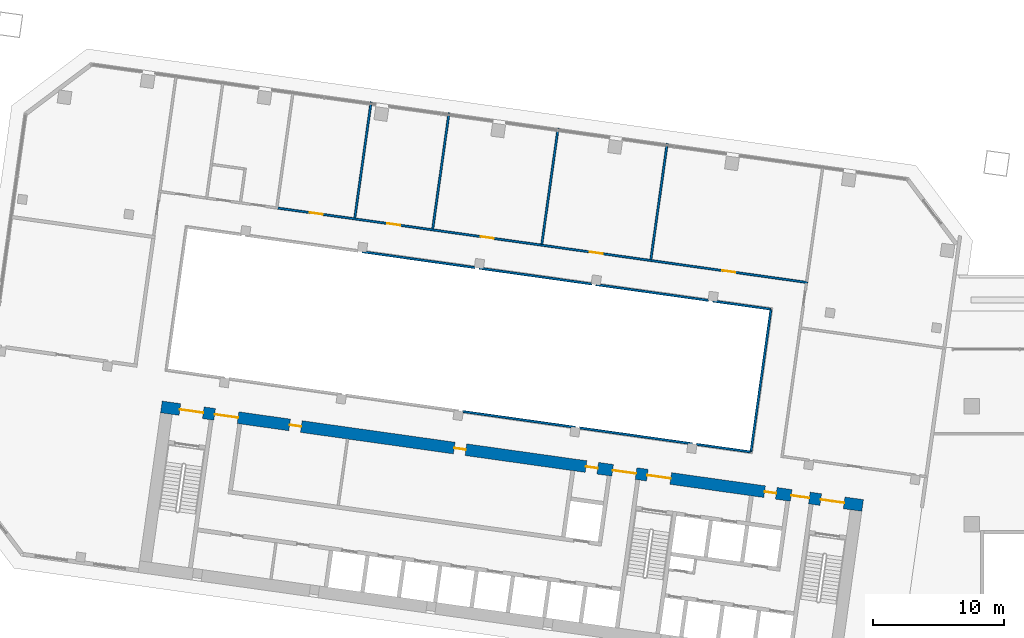
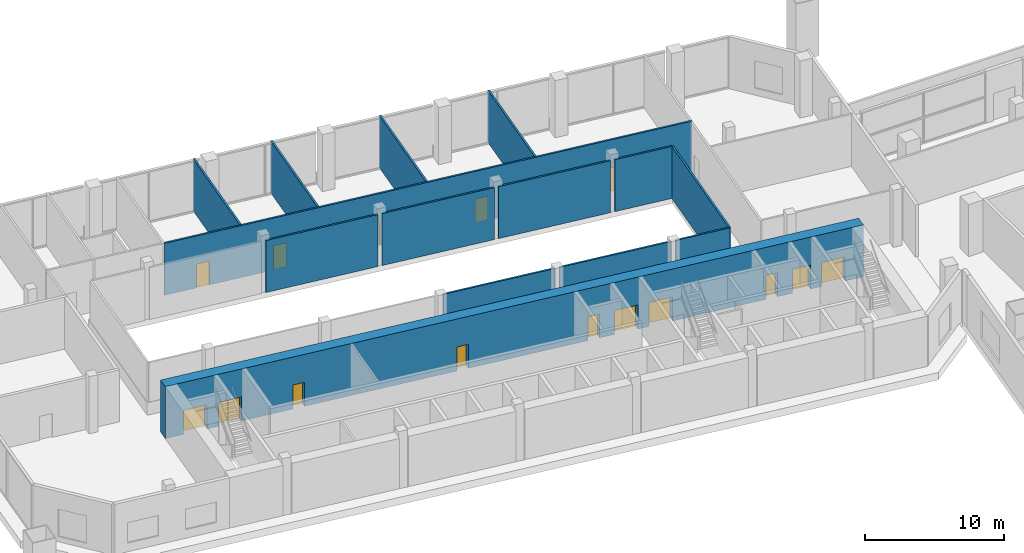
# One storey, part 12 of 21: 15 doors, 14 walls, 15 openings.
"""IFC4 building model written with IfcOpenShell, lengths in metres."""

import ifcopenshell
import ifcopenshell.guid

model = None  # the IFC model being written
_history = None  # IfcOwnerHistory: only IFC2X3 demands one
_inside = {}  # id of a spatial element -> (the spatial element, [elements in it])
_under = {}  # id of a project, library or spatial element -> (it, [spatial elements below it])
_declared = {}  # id of a project -> (the project, [libraries it declares])
_typed = {}  # id of a type object -> (the type object, [elements of that type])
_made_of = {}  # id of a material, layer set ... -> (it, [elements and type objects made of it])


def new_model(schema):
    """Start an empty IFC model of exactly this schema.

    Asked for "IFC4X3", IfcOpenShell would pick the latest addendum, in which some entities
    have other attributes; the version numbers below select the first issue.
    IFC2X3 requires an IfcOwnerHistory on every rooted entity: one is made here for all.
    """
    global model, _history
    if schema == "IFC4X3":
        model = ifcopenshell.file(schema_version=(4, 3, 0, 0))
    else:
        model = ifcopenshell.file(schema=schema)
    _inside.clear()
    _under.clear()
    _declared.clear()
    _typed.clear()
    _made_of.clear()
    _history = None
    if model.schema == "IFC2X3":
        org = make("IfcOrganization", Name="unknown")
        user = make(
            "IfcPersonAndOrganization",
            ThePerson=make("IfcPerson", FamilyName="unknown"),
            TheOrganization=org,
        )
        app = make(
            "IfcApplication",
            ApplicationDeveloper=org,
            Version="unknown",
            ApplicationFullName="unknown",
            ApplicationIdentifier="unknown",
        )
        _history = make(
            "IfcOwnerHistory",
            OwningUser=user,
            OwningApplication=app,
            ChangeAction="ADDED",
            CreationDate=0,
        )
    return model


def make(cls, **values):
    """One entity of the class cls with the attributes given. An attribute that is None is left unset."""
    return model.create_entity(
        cls, **{name: value for name, value in values.items() if value is not None}
    )


def rooted(cls, **values):
    """An entity with a GlobalId (a new one), such as an element, a storey or a relation."""
    return make(cls, GlobalId=ifcopenshell.guid.new(), OwnerHistory=_history, **values)


def si_unit(unit_type, name, prefix=None):
    """IfcSIUnit, for example si_unit("LENGTHUNIT", "METRE", prefix="MILLI")."""
    return make("IfcSIUnit", UnitType=unit_type, Prefix=prefix, Name=name)


def assignment(units):
    """IfcUnitAssignment: the units of a project."""
    return None if units is None else make("IfcUnitAssignment", Units=units)


def point(xyz):
    """IfcCartesianPoint."""
    return None if xyz is None else make("IfcCartesianPoint", Coordinates=xyz)


def direction(xyz):
    """IfcDirection."""
    return None if xyz is None else make("IfcDirection", DirectionRatios=xyz)


def frame(location, z_axis=None, x_axis=None):
    """IfcAxis2Placement3D, a coordinate frame: its origin and axes. An axis left out is left unset."""
    return make(
        "IfcAxis2Placement3D",
        Location=point(location),
        Axis=direction(z_axis),
        RefDirection=direction(x_axis),
    )


def frame_2d(location, x_axis=None):
    """IfcAxis2Placement2D, a coordinate frame in the plane: its origin and x axis."""
    return make(
        "IfcAxis2Placement2D", Location=point(location), RefDirection=direction(x_axis)
    )


def origin():
    """The frame at (0, 0, 0) with its axes left unset."""
    return frame((0.0, 0.0, 0.0))


def place(relative_to, where):
    """IfcLocalPlacement: puts the frame where relative to a parent placement (None: the world)."""
    return make(
        "IfcLocalPlacement", PlacementRelTo=relative_to, RelativePlacement=where
    )


def context(
    kind, dimensions, precision=None, world=None, true_north=None, identifier=None
):
    """IfcGeometricRepresentationContext, for example the 3D "Model" context."""
    return make(
        "IfcGeometricRepresentationContext",
        ContextIdentifier=identifier,
        ContextType=kind,
        CoordinateSpaceDimension=dimensions,
        Precision=precision,
        WorldCoordinateSystem=world,
        TrueNorth=true_north,
    )


def subcontext(parent, identifier, kind, view, scale=None):
    """IfcGeometricRepresentationSubContext, for example "Body" below "Model"."""
    return make(
        "IfcGeometricRepresentationSubContext",
        ContextIdentifier=identifier,
        ContextType=kind,
        ParentContext=parent,
        TargetScale=scale,
        TargetView=view,
    )


def project(units=None, contexts=None):
    """IfcProject with its units and contexts."""
    return rooted(
        "IfcProject",
        Name="project",
        RepresentationContexts=contexts,
        UnitsInContext=assignment(units),
    )


def spatial(cls, under=None, at=None, **own):
    """A site, building, storey or space (cls), placed at a placement, below another one or the project."""
    s = rooted(cls, ObjectPlacement=at, **own)
    if under is not None:
        _under.setdefault(under.id(), (under, []))[1].append(s)
    return s


def profile(cls, at=None, kind="AREA", **sizes):
    """A parametric profile (cls). Its sizes go by their IFC names, for example OverallWidth=200.0."""
    return make(cls, ProfileType=kind, Position=at, **sizes)


def rectangle(**sizes):
    """IfcRectangleProfileDef."""
    return profile("IfcRectangleProfileDef", **sizes)


def extrude(swept, where, along, depth):
    """IfcExtrudedAreaSolid: the profile swept, set in the frame where, extruded along a direction by depth."""
    return make(
        "IfcExtrudedAreaSolid",
        SweptArea=swept,
        Position=where,
        ExtrudedDirection=direction(along),
        Depth=depth,
    )


def shape(context_of_items, identifier, shape_type, items):
    """IfcShapeRepresentation: the items that make up one representation, for example the "Body"."""
    return make(
        "IfcShapeRepresentation",
        ContextOfItems=context_of_items,
        RepresentationIdentifier=identifier,
        RepresentationType=shape_type,
        Items=items,
    )


def material(Name=None, Category=None):
    """IfcMaterial."""
    return make("IfcMaterial", Name=Name, Category=Category)


def layer(
    of_material, thickness, ventilated=None, Name=None, Category=None, Priority=None
):
    """IfcMaterialLayer: one layer of a wall or slab, of a material (None: an air gap)."""
    return make(
        "IfcMaterialLayer",
        Material=of_material,
        LayerThickness=thickness,
        IsVentilated=ventilated,
        Name=Name,
        Category=Category,
        Priority=Priority,
    )


def layer_set(layers, Name=None):
    """IfcMaterialLayerSet."""
    return make("IfcMaterialLayerSet", MaterialLayers=layers, LayerSetName=Name)


def made_of(thing, what):
    """Note that an element or type object is made of a material, layer set ...; save() writes the relation."""
    if what is not None:
        _made_of.setdefault(what.id(), (what, []))[1].append(thing)
    return thing


def type_object(cls, material=None, **own):
    """A type object (cls), such as IfcWallType, which elements share."""
    return made_of(rooted(cls, **own), material)


def element(
    cls,
    number,
    at=None,
    inside=None,
    cuts=None,
    type_object=None,
    material=None,
    context=None,
    identifier="Body",
    shape_type=None,
    held_by="IfcProductDefinitionShape",
    body=None,
    shapes=None,
    **own,
):
    """One element of the class cls, such as IfcWall. Its Tag is "e" and its number.

    at: its placement. inside: the storey or other place that contains it. cuts: it is an
    opening in that element (IfcRelVoidsElement). A single representation is given by context,
    identifier, shape_type and body (its items); several are given by shapes. held_by: the class
    of the entity that holds the representations. save() writes the other relations.
    """
    e = rooted(cls, Tag="e%d" % number, ObjectPlacement=at, **own)
    if body is not None:
        shapes = [shape(context, identifier, shape_type, body)]
    if shapes is not None:
        e.Representation = make(held_by, Representations=shapes)
    if inside is not None:
        _inside.setdefault(inside.id(), (inside, []))[1].append(e)
    if cuts is not None:
        rooted(
            "IfcRelVoidsElement", RelatingBuildingElement=cuts, RelatedOpeningElement=e
        )
    if type_object is not None:
        _typed.setdefault(type_object.id(), (type_object, []))[1].append(e)
    return made_of(e, material)


def fill(opening, filler):
    """IfcRelFillsElement: the door or window that sits in an opening."""
    return rooted(
        "IfcRelFillsElement",
        RelatingOpeningElement=opening,
        RelatedBuildingElement=filler,
    )


def aggregate(whole, parts):
    """IfcRelAggregates: a whole, such as a stair, and the parts it consists of."""
    return rooted("IfcRelAggregates", RelatingObject=whole, RelatedObjects=parts)


def save(model, path):
    """Write the relations noted so far, then the file.

    IfcRelAggregates (storeys below a building ...), IfcRelContainedInSpatialStructure (elements
    in a storey), IfcRelDefinesByType, IfcRelAssociatesMaterial and IfcRelDeclares: one each for
    every whole, place, type object, material and project.
    """
    for whole, parts in _under.values():
        aggregate(whole, parts)
    for where, things in _inside.values():
        rooted(
            "IfcRelContainedInSpatialStructure",
            RelatedElements=things,
            RelatingStructure=where,
        )
    for kind, things in _typed.values():
        rooted("IfcRelDefinesByType", RelatedObjects=things, RelatingType=kind)
    for what, things in _made_of.values():
        rooted("IfcRelAssociatesMaterial", RelatedObjects=things, RelatingMaterial=what)
    for by, libraries in _declared.values():
        rooted("IfcRelDeclares", RelatingContext=by, RelatedDefinitions=libraries)
    model.write(path)


model = new_model("IFC4")

# Units and contexts
model_context = context("Model", 3, precision=1e-05, world=origin(), true_north=direction((0.0, 1.0)))
body_context = subcontext(model_context, "Body", "Model", "MODEL_VIEW")
ifc_project = project(units=[si_unit("LENGTHUNIT", "METRE"), si_unit("AREAUNIT", "SQUARE_METRE"), si_unit("VOLUMEUNIT", "CUBIC_METRE"), si_unit("PLANEANGLEUNIT", "RADIAN"), si_unit("MASSUNIT", "GRAM", prefix="KILO")], contexts=[model_context])

# Site, building, storey
site_placement = place(None, origin())
site = spatial("IfcSite", under=ifc_project, at=site_placement, CompositionType="ELEMENT")
building_placement = place(site_placement, origin())
building = spatial("IfcBuilding", under=site, at=building_placement, Name="Mirante Cascada Hotel Towers", CompositionType="ELEMENT")
storey_placement = place(building_placement, frame((0.0, 0.0, 34.5)))
storey = spatial("IfcBuildingStorey", under=building, at=storey_placement, Name="L05", CompositionType="ELEMENT", Elevation=34.5)

# Wall, openings, doors
ifc_material_1 = material(Name="Masonry block", Category="masonry")
ifc_layer_1 = layer(ifc_material_1, 0.15)
ifc_layer_set_1 = layer_set([ifc_layer_1], Name="Corridor wall 150 block")
wall_type_1 = type_object("IfcWallType", Name="Corridor wall 150 block", PredefinedType="PARTITIONING", material=ifc_layer_set_1)
wall_1_placement = place(storey_placement, frame((-79.9388, 15.1167, 0.0), z_axis=(0.0, 0.0, 1.0), x_axis=(0.9902682, -0.1391719, 0.0)))
wall_1 = element("IfcWall", 1, at=wall_1_placement, inside=storey, type_object=wall_type_1, Name="Corridor wall T1 L05", PredefinedType="PARTITIONING", context=body_context, shape_type="SweptSolid", body=[
    extrude(rectangle(XDim=40.81, YDim=0.15, at=frame_2d((20.405, 0.0))), origin(), (0.0, 0.0, 1.0), 4.55),
])
opening_1_placement = place(wall_1_placement, frame((34.235, 0.0, 0.0)))
opening_1 = element("IfcOpeningElement", 2, at=opening_1_placement, cuts=wall_1, Name="Opening DP1-L05-05", PredefinedType="OPENING", context=body_context, shape_type="SweptSolid", body=[
    extrude(rectangle(XDim=1.0, YDim=2.1, at=frame_2d((0.5, 1.05))), frame((0.0, 0.075, 0.0), z_axis=(0.0, -1.0, 0.0), x_axis=(1.0, 0.0, 0.0)), (0.0, 0.0, 1.0), 0.15),
])
opening_2_placement = place(wall_1_placement, frame((24.035, 0.0, 0.0)))
opening_2 = element("IfcOpeningElement", 3, at=opening_2_placement, cuts=wall_1, Name="Opening DP1-L05-06", PredefinedType="OPENING", context=body_context, shape_type="SweptSolid", body=[
    extrude(rectangle(XDim=1.0, YDim=2.1, at=frame_2d((0.5, 1.05))), frame((0.0, 0.075, 0.0), z_axis=(0.0, -1.0, 0.0), x_axis=(1.0, 0.0, 0.0)), (0.0, 0.0, 1.0), 0.15),
])
opening_3_placement = place(wall_1_placement, frame((15.635, 0.0, 0.0)))
opening_3 = element("IfcOpeningElement", 4, at=opening_3_placement, cuts=wall_1, Name="Opening DP1-L05-07", PredefinedType="OPENING", context=body_context, shape_type="SweptSolid", body=[
    extrude(rectangle(XDim=1.0, YDim=2.1, at=frame_2d((0.5, 1.05))), frame((0.0, 0.075, 0.0), z_axis=(0.0, -1.0, 0.0), x_axis=(1.0, 0.0, 0.0)), (0.0, 0.0, 1.0), 0.15),
])
opening_4_placement = place(wall_1_placement, frame((8.435, 0.0, 0.0)))
opening_4 = element("IfcOpeningElement", 5, at=opening_4_placement, cuts=wall_1, Name="Opening DP1-L05-08", PredefinedType="OPENING", context=body_context, shape_type="SweptSolid", body=[
    extrude(rectangle(XDim=1.0, YDim=2.1, at=frame_2d((0.5, 1.05))), frame((0.0, 0.075, 0.0), z_axis=(0.0, -1.0, 0.0), x_axis=(1.0, 0.0, 0.0)), (0.0, 0.0, 1.0), 0.15),
])
opening_5_placement = place(wall_1_placement, frame((2.4675, 0.0, 0.0)))
opening_5 = element("IfcOpeningElement", 6, at=opening_5_placement, cuts=wall_1, Name="Opening DP1-L05-09", PredefinedType="OPENING", context=body_context, shape_type="SweptSolid", body=[
    extrude(rectangle(XDim=1.0, YDim=2.1, at=frame_2d((0.5, 1.05))), frame((0.0, 0.075, 0.0), z_axis=(0.0, -1.0, 0.0), x_axis=(1.0, 0.0, 0.0)), (0.0, 0.0, 1.0), 0.15),
])
ifc_material_2 = material(Name="Timber door leaf", Category="wood")
door_type_1 = type_object("IfcDoorType", Name="Single door 1000x2100", OperationType="NOTDEFINED", PredefinedType="DOOR", material=ifc_material_2)
door_1_placement = place(opening_1_placement, frame((1.0, 0.0, 0.0), z_axis=(0.0, 0.0, 1.0), x_axis=(-1.0, 0.0, 0.0)))
door_1 = element("IfcDoor", 7, at=door_1_placement, inside=storey, type_object=door_type_1, Name="Door DP1-L05-05", OperationType="SINGLE_SWING_LEFT", OverallHeight=2.1, OverallWidth=1.0, PredefinedType="DOOR", context=body_context, shape_type="SweptSolid", body=[
    extrude(rectangle(XDim=1.0, YDim=2.1, at=frame_2d((0.5, 1.05))), frame((0.0, 0.025, 0.0), z_axis=(0.0, -1.0, 0.0), x_axis=(1.0, 0.0, 0.0)), (0.0, 0.0, 1.0), 0.05),
])
fill(opening_1, door_1)
door_2_placement = place(opening_2_placement, origin())
door_2 = element("IfcDoor", 8, at=door_2_placement, inside=storey, type_object=door_type_1, Name="Door DP1-L05-06", OperationType="SINGLE_SWING_RIGHT", OverallHeight=2.1, OverallWidth=1.0, PredefinedType="DOOR", context=body_context, shape_type="SweptSolid", body=[
    extrude(rectangle(XDim=1.0, YDim=2.1, at=frame_2d((0.5, 1.05))), frame((0.0, 0.025, 0.0), z_axis=(0.0, -1.0, 0.0), x_axis=(1.0, 0.0, 0.0)), (0.0, 0.0, 1.0), 0.05),
])
fill(opening_2, door_2)
door_3_placement = place(opening_3_placement, origin())
door_3 = element("IfcDoor", 9, at=door_3_placement, inside=storey, type_object=door_type_1, Name="Door DP1-L05-07", OperationType="SINGLE_SWING_LEFT", OverallHeight=2.1, OverallWidth=1.0, PredefinedType="DOOR", context=body_context, shape_type="SweptSolid", body=[
    extrude(rectangle(XDim=1.0, YDim=2.1, at=frame_2d((0.5, 1.05))), frame((0.0, 0.025, 0.0), z_axis=(0.0, -1.0, 0.0), x_axis=(1.0, 0.0, 0.0)), (0.0, 0.0, 1.0), 0.05),
])
fill(opening_3, door_3)
door_4_placement = place(opening_4_placement, origin())
door_4 = element("IfcDoor", 10, at=door_4_placement, inside=storey, type_object=door_type_1, Name="Door DP1-L05-08", OperationType="SINGLE_SWING_RIGHT", OverallHeight=2.1, OverallWidth=1.0, PredefinedType="DOOR", context=body_context, shape_type="SweptSolid", body=[
    extrude(rectangle(XDim=1.0, YDim=2.1, at=frame_2d((0.5, 1.05))), frame((0.0, 0.025, 0.0), z_axis=(0.0, -1.0, 0.0), x_axis=(1.0, 0.0, 0.0)), (0.0, 0.0, 1.0), 0.05),
])
fill(opening_4, door_4)
door_5_placement = place(opening_5_placement, origin())
door_5 = element("IfcDoor", 11, at=door_5_placement, inside=storey, type_object=door_type_1, Name="Door DP1-L05-09", OperationType="SINGLE_SWING_LEFT", OverallHeight=2.1, OverallWidth=1.0, PredefinedType="DOOR", context=body_context, shape_type="SweptSolid", body=[
    extrude(rectangle(XDim=1.0, YDim=2.1, at=frame_2d((0.5, 1.05))), frame((0.0, 0.025, 0.0), z_axis=(0.0, -1.0, 0.0), x_axis=(1.0, 0.0, 0.0)), (0.0, 0.0, 1.0), 0.05),
])
fill(opening_5, door_5)

# Walls
wall_2_placement = place(storey_placement, frame((-43.8376, -3.4584, 0.0), z_axis=(0.0, 0.0, 1.0), x_axis=(0.1391674, 0.9902689, 0.0)))
element("IfcWall", 12, at=wall_2_placement, inside=storey, type_object=wall_type_1, Name="Corridor wall T1 L05", PredefinedType="PARTITIONING", context=body_context, shape_type="SweptSolid", body=[
    extrude(rectangle(XDim=10.9401, YDim=0.15, at=frame_2d((5.47, 0.0))), origin(), (0.0, 0.0, 1.0), 4.55),
])
wall_3_placement = place(storey_placement, frame((-65.8216, -0.399, 0.0), z_axis=(0.0, 0.0, 1.0), x_axis=(0.9902682, -0.139172, 0.0)))
element("IfcWall", 13, at=wall_3_placement, inside=storey, type_object=wall_type_1, Name="Corridor wall T1 L05", PredefinedType="PARTITIONING", context=body_context, shape_type="SweptSolid", body=[
    extrude(rectangle(XDim=8.6713, YDim=0.15, at=frame_2d((4.3356, 0.0))), origin(), (0.0, 0.0, 1.0), 4.55),
])
wall_4_placement = place(storey_placement, frame((-56.9091, -1.6516, 0.0), z_axis=(0.0, 0.0, 1.0), x_axis=(0.990268, -0.1391735, 0.0)))
element("IfcWall", 14, at=wall_4_placement, inside=storey, type_object=wall_type_1, Name="Corridor wall T1 L05", PredefinedType="PARTITIONING", context=body_context, shape_type="SweptSolid", body=[
    extrude(rectangle(XDim=8.6712, YDim=0.15, at=frame_2d((4.3356, 0.0))), origin(), (0.0, 0.0, 1.0), 4.55),
])
wall_5_placement = place(storey_placement, frame((-47.9967, -2.9041, 0.0), z_axis=(0.0, 0.0, 1.0), x_axis=(0.9902667, -0.1391827, 0.0)))
element("IfcWall", 15, at=wall_5_placement, inside=storey, type_object=wall_type_1, Name="Corridor wall T1 L05", PredefinedType="PARTITIONING", context=body_context, shape_type="SweptSolid", body=[
    extrude(rectangle(XDim=4.1657, YDim=0.15, at=frame_2d((2.0828, 0.0))), origin(), (0.0, 0.0, 1.0), 4.55),
])
for number, where, z_axis, x_axis, name in (
    (16, (-73.4801, 11.7854, 0.0), (0.0, 0.0, 1.0), (0.9902682, -0.139172, 0.0), "Corridor wall T1 L05"),
    (17, (-64.5677, 10.5329, 0.0), (0.0, 0.0, 1.0), (0.9902682, -0.139172, 0.0), "Corridor wall T1 L05"),
    (18, (-55.6553, 9.2803, 0.0), (0.0, 0.0, 1.0), (0.9902682, -0.139172, 0.0), "Corridor wall T1 L05"),
):
    element("IfcWall", number, at=place(storey_placement, frame(where, z_axis=z_axis, x_axis=x_axis)), inside=storey, type_object=wall_type_1, Name=name, PredefinedType="PARTITIONING", context=body_context, shape_type="SweptSolid", body=[
        extrude(rectangle(XDim=8.6713, YDim=0.15, at=frame_2d((4.3356, 0.0))), origin(), (0.0, 0.0, 1.0), 4.55),
    ])
wall_6_placement = place(storey_placement, frame((-46.7429, 8.0277, 0.0), z_axis=(0.0, 0.0, 1.0), x_axis=(0.9902682, -0.1391725, 0.0)))
element("IfcWall", 19, at=wall_6_placement, inside=storey, type_object=wall_type_1, Name="Corridor wall T1 L05", PredefinedType="PARTITIONING", context=body_context, shape_type="SweptSolid", body=[
    extrude(rectangle(XDim=4.4456, YDim=0.15, at=frame_2d((2.2228, 0.0))), origin(), (0.0, 0.0, 1.0), 4.55),
])
ifc_material_3 = material(Name="Masonry block", Category="masonry")
ifc_layer_2 = layer(ifc_material_3, 0.15)
ifc_layer_set_2 = layer_set([ifc_layer_2], Name="Partition 150 block")
wall_type_2 = type_object("IfcWallType", Name="Partition 150 block", PredefinedType="PARTITIONING", material=ifc_layer_set_2)
wall_7_placement = place(storey_placement, frame((-51.473, 11.1918, 0.0), z_axis=(0.0, 0.0, 1.0), x_axis=(0.13917, 0.9902685, 0.0)))
element("IfcWall", 20, at=wall_7_placement, inside=storey, type_object=wall_type_2, Name="Partition T1 L05", PredefinedType="PARTITIONING", context=body_context, shape_type="SweptSolid", body=[
    extrude(rectangle(XDim=8.9251, YDim=0.15, at=frame_2d((4.4626, 0.0))), origin(), (0.0, 0.0, 1.0), 4.55),
])
for number, where, z_axis, x_axis, name in (
    (21, (-59.7913, 12.3609, 0.0), (0.0, 0.0, 1.0), (0.1391716, 0.9902683, 0.0), "Partition T1 L05"),
    (22, (-68.1095, 13.53, 0.0), (0.0, 0.0, 1.0), (0.1391716, 0.9902683, 0.0), "Partition T1 L05"),
    (23, (-74.0511, 14.365, 0.0), (0.0, 0.0, 1.0), (0.1391716, 0.9902683, 0.0), "Partition T1 L05"),
):
    element("IfcWall", number, at=place(storey_placement, frame(where, z_axis=z_axis, x_axis=x_axis)), inside=storey, type_object=wall_type_2, Name=name, PredefinedType="PARTITIONING", context=body_context, shape_type="SweptSolid", body=[
        extrude(rectangle(XDim=8.925, YDim=0.15, at=frame_2d((4.4625, 0.0))), origin(), (0.0, 0.0, 1.0), 4.55),
    ])

# Wall, openings, doors
ifc_material_4 = material(Name="Concrete C50/60", Category="concrete")
ifc_layer_3 = layer(ifc_material_4, 0.9)
ifc_layer_set_3 = layer_set([ifc_layer_3], Name="RC core wall 900 C50/60")
wall_type_3 = type_object("IfcWallType", Name="RC core wall 900 C50/60", PredefinedType="SHEAR", material=ifc_layer_set_3)
wall_8_placement = place(storey_placement, frame((-35.326, -7.5629, 0.0), z_axis=(0.0, 0.0, 1.0), x_axis=(-0.9902679, 0.139174, 0.0)))
wall_8 = element("IfcWall", 24, at=wall_8_placement, inside=storey, type_object=wall_type_3, Name="Core wall T1:L05:2", PredefinedType="SHEAR", context=body_context, shape_type="SweptSolid", body=[
    extrude(rectangle(XDim=54.0, YDim=0.9, at=frame_2d((27.0, 0.0))), origin(), (0.0, 0.0, 1.0), 4.55),
])
opening_6_placement = place(wall_8_placement, frame((1.425, 0.0, 0.0)))
opening_6 = element("IfcOpeningElement", 25, at=opening_6_placement, cuts=wall_8, Name="Opening D1-05-C17", PredefinedType="OPENING", context=body_context, shape_type="SweptSolid", body=[
    extrude(rectangle(XDim=1.8, YDim=2.1, at=frame_2d((0.9, 1.05))), frame((0.0, 0.45, 0.0), z_axis=(0.0, -1.0, 0.0), x_axis=(1.0, 0.0, 0.0)), (0.0, 0.0, 1.0), 0.9),
])
opening_7_placement = place(wall_8_placement, frame((14.775, 0.0, 0.0)))
opening_7 = element("IfcOpeningElement", 26, at=opening_7_placement, cuts=wall_8, Name="Opening D1-05-C19", PredefinedType="OPENING", context=body_context, shape_type="SweptSolid", body=[
    extrude(rectangle(XDim=1.8, YDim=2.1, at=frame_2d((0.9, 1.05))), frame((0.0, 0.45, 0.0), z_axis=(0.0, -1.0, 0.0), x_axis=(1.0, 0.0, 0.0)), (0.0, 0.0, 1.0), 0.9),
])
opening_8_placement = place(wall_8_placement, frame((50.775, 0.0, 0.0)))
opening_8 = element("IfcOpeningElement", 27, at=opening_8_placement, cuts=wall_8, Name="Opening D1-05-C21", PredefinedType="OPENING", context=body_context, shape_type="SweptSolid", body=[
    extrude(rectangle(XDim=1.8, YDim=2.1, at=frame_2d((0.9, 1.05))), frame((0.0, 0.45, 0.0), z_axis=(0.0, -1.0, 0.0), x_axis=(1.0, 0.0, 0.0)), (0.0, 0.0, 1.0), 0.9),
])
opening_9_placement = place(wall_8_placement, frame((4.1, 0.0, 0.0)))
opening_9 = element("IfcOpeningElement", 28, at=opening_9_placement, cuts=wall_8, Name="Opening D1-05-C22", PredefinedType="OPENING", context=body_context, shape_type="SweptSolid", body=[
    extrude(rectangle(XDim=1.4, YDim=2.1, at=frame_2d((0.7, 1.05))), frame((0.0, 0.45, 0.0), z_axis=(0.0, -1.0, 0.0), x_axis=(1.0, 0.0, 0.0)), (0.0, 0.0, 1.0), 0.9),
])
opening_10_placement = place(wall_8_placement, frame((17.45, 0.0, 0.0)))
opening_10 = element("IfcOpeningElement", 29, at=opening_10_placement, cuts=wall_8, Name="Opening D1-05-C23", PredefinedType="OPENING", context=body_context, shape_type="SweptSolid", body=[
    extrude(rectangle(XDim=1.8, YDim=2.1, at=frame_2d((0.9, 1.05))), frame((0.0, 0.45, 0.0), z_axis=(0.0, -1.0, 0.0), x_axis=(1.0, 0.0, 0.0)), (0.0, 0.0, 1.0), 0.9),
])
opening_11_placement = place(wall_8_placement, frame((48.1, 0.0, 0.0)))
opening_11 = element("IfcOpeningElement", 30, at=opening_11_placement, cuts=wall_8, Name="Opening D1-05-C24", PredefinedType="OPENING", context=body_context, shape_type="SweptSolid", body=[
    extrude(rectangle(XDim=1.8, YDim=2.1, at=frame_2d((0.9, 1.05))), frame((0.0, 0.45, 0.0), z_axis=(0.0, -1.0, 0.0), x_axis=(1.0, 0.0, 0.0)), (0.0, 0.0, 1.0), 0.9),
])
opening_12_placement = place(wall_8_placement, frame((6.65, 0.0, 0.0)))
opening_12 = element("IfcOpeningElement", 31, at=opening_12_placement, cuts=wall_8, Name="Opening D1-05-C27", PredefinedType="OPENING", context=body_context, shape_type="SweptSolid", body=[
    extrude(rectangle(XDim=0.9, YDim=2.1, at=frame_2d((0.45, 1.05))), frame((0.0, 0.45, 0.0), z_axis=(0.0, -1.0, 0.0), x_axis=(1.0, 0.0, 0.0)), (0.0, 0.0, 1.0), 0.9),
])
opening_13_placement = place(wall_8_placement, frame((20.4, 0.0, 0.0)))
opening_13 = element("IfcOpeningElement", 32, at=opening_13_placement, cuts=wall_8, Name="Opening D1-05-C30", PredefinedType="OPENING", context=body_context, shape_type="SweptSolid", body=[
    extrude(rectangle(XDim=0.9, YDim=2.1, at=frame_2d((0.45, 1.05))), frame((0.0, 0.45, 0.0), z_axis=(0.0, -1.0, 0.0), x_axis=(1.0, 0.0, 0.0)), (0.0, 0.0, 1.0), 0.9),
])
opening_14_placement = place(wall_8_placement, frame((30.55, 0.0, 0.0)))
opening_14 = element("IfcOpeningElement", 33, at=opening_14_placement, cuts=wall_8, Name="Opening D1-05-C31", PredefinedType="OPENING", context=body_context, shape_type="SweptSolid", body=[
    extrude(rectangle(XDim=0.9, YDim=2.1, at=frame_2d((0.45, 1.05))), frame((0.0, 0.45, 0.0), z_axis=(0.0, -1.0, 0.0), x_axis=(1.0, 0.0, 0.0)), (0.0, 0.0, 1.0), 0.9),
])
opening_15_placement = place(wall_8_placement, frame((43.225, 0.0, 0.0)))
opening_15 = element("IfcOpeningElement", 34, at=opening_15_placement, cuts=wall_8, Name="Opening D1-05-C32", PredefinedType="OPENING", context=body_context, shape_type="SweptSolid", body=[
    extrude(rectangle(XDim=0.9, YDim=2.1, at=frame_2d((0.45, 1.05))), frame((0.0, 0.45, 0.0), z_axis=(0.0, -1.0, 0.0), x_axis=(1.0, 0.0, 0.0)), (0.0, 0.0, 1.0), 0.9),
])
ifc_material_5 = material(Name="Hollow metal fire door leaf")
door_type_2 = type_object("IfcDoorType", Name="Double fire door 1400x2100 FD60", OperationType="DOUBLE_DOOR_SINGLE_SWING", PredefinedType="DOOR", material=ifc_material_5)
door_6_placement = place(opening_9_placement, frame((1.4, 0.0, 0.0), z_axis=(0.0, 0.0, 1.0), x_axis=(-1.0, 0.0, 0.0)))
door_6 = element("IfcDoor", 35, at=door_6_placement, inside=storey, type_object=door_type_2, Name="Exit door to gallery T1 L05 22", OperationType="DOUBLE_DOOR_SINGLE_SWING", OverallHeight=2.1, OverallWidth=1.4, PredefinedType="DOOR", context=body_context, shape_type="SweptSolid", body=[
    extrude(rectangle(XDim=0.695, YDim=2.1, at=frame_2d((0.3475, 1.05))), frame((0.0, 0.025, 0.0), z_axis=(0.0, -1.0, 0.0), x_axis=(1.0, 0.0, 0.0)), (0.0, 0.0, 1.0), 0.05),
    extrude(rectangle(XDim=0.695, YDim=2.1, at=frame_2d((1.0525, 1.05))), frame((0.0, 0.025, 0.0), z_axis=(0.0, -1.0, 0.0), x_axis=(1.0, 0.0, 0.0)), (0.0, 0.0, 1.0), 0.05),
])
fill(opening_9, door_6)
ifc_material_6 = material(Name="Hollow metal fire door leaf")
door_type_3 = type_object("IfcDoorType", Name="Double fire door 1800x2100 FD60", OperationType="DOUBLE_DOOR_SINGLE_SWING", PredefinedType="DOOR", material=ifc_material_6)
door_7_placement = place(opening_6_placement, origin())
door_7 = element("IfcDoor", 36, at=door_7_placement, inside=storey, type_object=door_type_3, Name="Exit door to gallery T1 L05 17", OperationType="DOUBLE_DOOR_SINGLE_SWING", OverallHeight=2.1, OverallWidth=1.8, PredefinedType="DOOR", context=body_context, shape_type="SweptSolid", body=[
    extrude(rectangle(XDim=0.895, YDim=2.1, at=frame_2d((0.4475, 1.05))), frame((0.0, 0.025, 0.0), z_axis=(0.0, -1.0, 0.0), x_axis=(1.0, 0.0, 0.0)), (0.0, 0.0, 1.0), 0.05),
    extrude(rectangle(XDim=0.895, YDim=2.1, at=frame_2d((1.3525, 1.05))), frame((0.0, 0.025, 0.0), z_axis=(0.0, -1.0, 0.0), x_axis=(1.0, 0.0, 0.0)), (0.0, 0.0, 1.0), 0.05),
])
fill(opening_6, door_7)
door_8_placement = place(opening_7_placement, origin())
door_8 = element("IfcDoor", 37, at=door_8_placement, inside=storey, type_object=door_type_3, Name="Exit door to gallery T1 L05 19", OperationType="DOUBLE_DOOR_SINGLE_SWING", OverallHeight=2.1, OverallWidth=1.8, PredefinedType="DOOR", context=body_context, shape_type="SweptSolid", body=[
    extrude(rectangle(XDim=0.895, YDim=2.1, at=frame_2d((0.4475, 1.05))), frame((0.0, 0.025, 0.0), z_axis=(0.0, -1.0, 0.0), x_axis=(1.0, 0.0, 0.0)), (0.0, 0.0, 1.0), 0.05),
    extrude(rectangle(XDim=0.895, YDim=2.1, at=frame_2d((1.3525, 1.05))), frame((0.0, 0.025, 0.0), z_axis=(0.0, -1.0, 0.0), x_axis=(1.0, 0.0, 0.0)), (0.0, 0.0, 1.0), 0.05),
])
fill(opening_7, door_8)
door_9_placement = place(opening_8_placement, origin())
door_9 = element("IfcDoor", 38, at=door_9_placement, inside=storey, type_object=door_type_3, Name="Exit door to gallery T1 L05 21", OperationType="DOUBLE_DOOR_SINGLE_SWING", OverallHeight=2.1, OverallWidth=1.8, PredefinedType="DOOR", context=body_context, shape_type="SweptSolid", body=[
    extrude(rectangle(XDim=0.895, YDim=2.1, at=frame_2d((0.4475, 1.05))), frame((0.0, 0.025, 0.0), z_axis=(0.0, -1.0, 0.0), x_axis=(1.0, 0.0, 0.0)), (0.0, 0.0, 1.0), 0.05),
    extrude(rectangle(XDim=0.895, YDim=2.1, at=frame_2d((1.3525, 1.05))), frame((0.0, 0.025, 0.0), z_axis=(0.0, -1.0, 0.0), x_axis=(1.0, 0.0, 0.0)), (0.0, 0.0, 1.0), 0.05),
])
fill(opening_8, door_9)
door_10_placement = place(opening_10_placement, frame((1.8, 0.0, 0.0), z_axis=(0.0, 0.0, 1.0), x_axis=(-1.0, 0.0, 0.0)))
door_10 = element("IfcDoor", 39, at=door_10_placement, inside=storey, type_object=door_type_3, Name="Exit door to gallery T1 L05 23", OperationType="DOUBLE_DOOR_SINGLE_SWING", OverallHeight=2.1, OverallWidth=1.8, PredefinedType="DOOR", context=body_context, shape_type="SweptSolid", body=[
    extrude(rectangle(XDim=0.895, YDim=2.1, at=frame_2d((0.4475, 1.05))), frame((0.0, 0.025, 0.0), z_axis=(0.0, -1.0, 0.0), x_axis=(1.0, 0.0, 0.0)), (0.0, 0.0, 1.0), 0.05),
    extrude(rectangle(XDim=0.895, YDim=2.1, at=frame_2d((1.3525, 1.05))), frame((0.0, 0.025, 0.0), z_axis=(0.0, -1.0, 0.0), x_axis=(1.0, 0.0, 0.0)), (0.0, 0.0, 1.0), 0.05),
])
fill(opening_10, door_10)
door_11_placement = place(opening_11_placement, frame((1.8, 0.0, 0.0), z_axis=(0.0, 0.0, 1.0), x_axis=(-1.0, 0.0, 0.0)))
door_11 = element("IfcDoor", 40, at=door_11_placement, inside=storey, type_object=door_type_3, Name="Exit door to gallery T1 L05 24", OperationType="DOUBLE_DOOR_SINGLE_SWING", OverallHeight=2.1, OverallWidth=1.8, PredefinedType="DOOR", context=body_context, shape_type="SweptSolid", body=[
    extrude(rectangle(XDim=0.895, YDim=2.1, at=frame_2d((0.4475, 1.05))), frame((0.0, 0.025, 0.0), z_axis=(0.0, -1.0, 0.0), x_axis=(1.0, 0.0, 0.0)), (0.0, 0.0, 1.0), 0.05),
    extrude(rectangle(XDim=0.895, YDim=2.1, at=frame_2d((1.3525, 1.05))), frame((0.0, 0.025, 0.0), z_axis=(0.0, -1.0, 0.0), x_axis=(1.0, 0.0, 0.0)), (0.0, 0.0, 1.0), 0.05),
])
fill(opening_11, door_11)
ifc_material_7 = material(Name="Hollow metal fire door leaf")
door_type_4 = type_object("IfcDoorType", Name="Fire door 900x2100 FD60", OperationType="NOTDEFINED", PredefinedType="DOOR", material=ifc_material_7)
door_12_placement = place(opening_12_placement, origin())
door_12 = element("IfcDoor", 41, at=door_12_placement, inside=storey, type_object=door_type_4, Name="Room door T1 L05 27", OperationType="SINGLE_SWING_RIGHT", OverallHeight=2.1, OverallWidth=0.9, PredefinedType="DOOR", context=body_context, shape_type="SweptSolid", body=[
    extrude(rectangle(XDim=0.9, YDim=2.1, at=frame_2d((0.45, 1.05))), frame((0.0, 0.025, 0.0), z_axis=(0.0, -1.0, 0.0), x_axis=(1.0, 0.0, 0.0)), (0.0, 0.0, 1.0), 0.05),
])
fill(opening_12, door_12)
door_13_placement = place(opening_13_placement, origin())
door_13 = element("IfcDoor", 42, at=door_13_placement, inside=storey, type_object=door_type_4, Name="Room door T1 L05 30", OperationType="SINGLE_SWING_RIGHT", OverallHeight=2.1, OverallWidth=0.9, PredefinedType="DOOR", context=body_context, shape_type="SweptSolid", body=[
    extrude(rectangle(XDim=0.9, YDim=2.1, at=frame_2d((0.45, 1.05))), frame((0.0, 0.025, 0.0), z_axis=(0.0, -1.0, 0.0), x_axis=(1.0, 0.0, 0.0)), (0.0, 0.0, 1.0), 0.05),
])
fill(opening_13, door_13)
door_14_placement = place(opening_14_placement, origin())
door_14 = element("IfcDoor", 43, at=door_14_placement, inside=storey, type_object=door_type_4, Name="Room door T1 L05 31", OperationType="SINGLE_SWING_LEFT", OverallHeight=2.1, OverallWidth=0.9, PredefinedType="DOOR", context=body_context, shape_type="SweptSolid", body=[
    extrude(rectangle(XDim=0.9, YDim=2.1, at=frame_2d((0.45, 1.05))), frame((0.0, 0.025, 0.0), z_axis=(0.0, -1.0, 0.0), x_axis=(1.0, 0.0, 0.0)), (0.0, 0.0, 1.0), 0.05),
])
fill(opening_14, door_14)
door_15_placement = place(opening_15_placement, origin())
door_15 = element("IfcDoor", 44, at=door_15_placement, inside=storey, type_object=door_type_4, Name="Room door T1 L05 32", OperationType="SINGLE_SWING_LEFT", OverallHeight=2.1, OverallWidth=0.9, PredefinedType="DOOR", context=body_context, shape_type="SweptSolid", body=[
    extrude(rectangle(XDim=0.9, YDim=2.1, at=frame_2d((0.45, 1.05))), frame((0.0, 0.025, 0.0), z_axis=(0.0, -1.0, 0.0), x_axis=(1.0, 0.0, 0.0)), (0.0, 0.0, 1.0), 0.05),
])
fill(opening_15, door_15)

save(model, "model.ifc")
